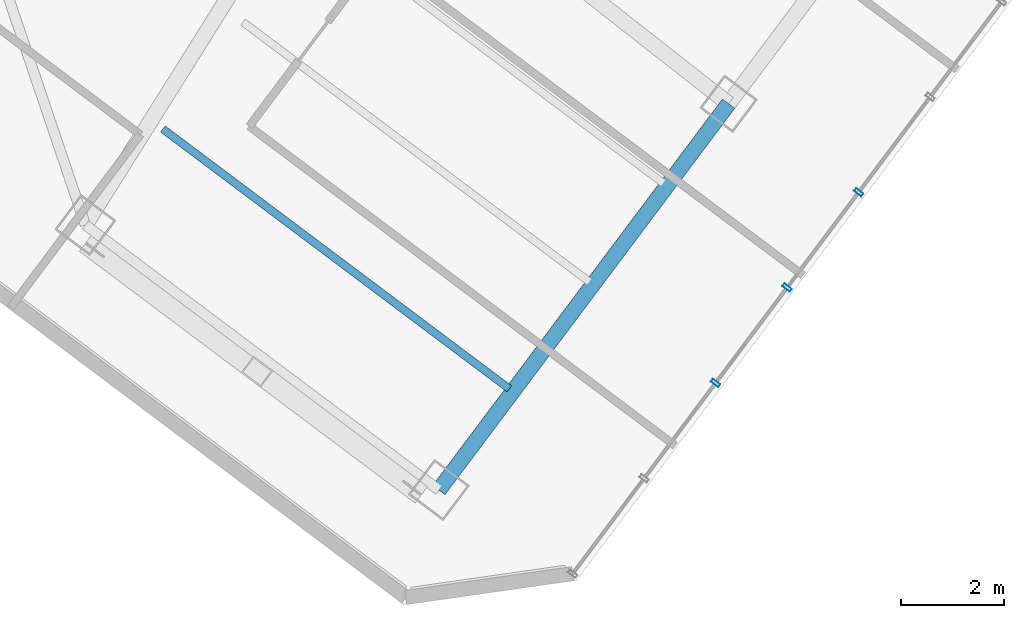
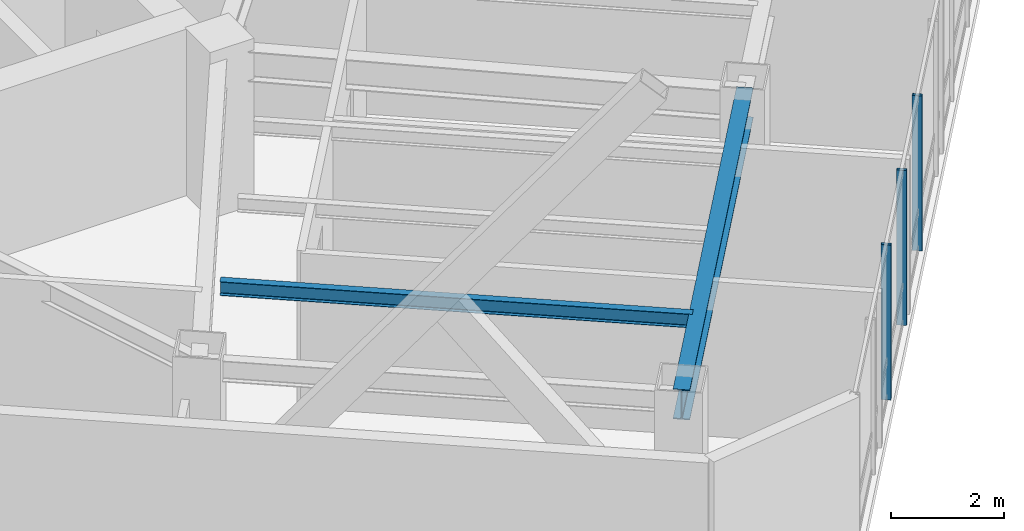
# One storey, part 11 of 27: 3 members, 2 beams, 1 element without a shape of its own.
"""IFC4 building model written with IfcOpenShell, lengths in metres."""

from ifc_helpers import new_model, si_unit, direction, frame, origin, origin_2d, place, context, subcontext, project, spatial, hollow_rectangle, i_section, extrude, material, layer, layer_set, material_profile, profile_set, type_object, element, aggregate, save


model = new_model("IFC4")

# Units and contexts
model_context = context("Model", 3, precision=1e-05, world=origin(), true_north=direction((0.0, 1.0)))
body_context = subcontext(model_context, "Body", "Model", "MODEL_VIEW")
ifc_project = project(units=[si_unit("LENGTHUNIT", "METRE"), si_unit("AREAUNIT", "SQUARE_METRE"), si_unit("VOLUMEUNIT", "CUBIC_METRE"), si_unit("PLANEANGLEUNIT", "RADIAN"), si_unit("MASSUNIT", "GRAM", prefix="KILO")], contexts=[model_context])

# Site, building, storey
site_placement = place(None, origin())
site = spatial("IfcSite", under=ifc_project, at=site_placement, CompositionType="ELEMENT")
building_placement = place(site_placement, origin())
building = spatial("IfcBuilding", under=site, at=building_placement, Name="Hatsunagi Terrace Concourse", CompositionType="ELEMENT")
storey_placement = place(building_placement, frame((0.0, 0.0, 145.64990234375)))
storey = spatial("IfcBuildingStorey", under=building, at=storey_placement, Name="L38", CompositionType="ELEMENT", Elevation=145.64990234375)

# Curtain wall, members
ifc_material_1 = material(Name="Anodised Aluminium Alloy 6063-T5", Category="aluminium")
ifc_layer = layer(ifc_material_1, 0.199951171875)
ifc_layer_set = layer_set([ifc_layer], Name="OfficeZone1_CW03")
curtain_wall_type = type_object("IfcCurtainWallType", Name="OfficeZone1_CW03", PredefinedType="NOTDEFINED", material=ifc_layer_set)
curtain_wall_placement = place(storey_placement, origin())
curtain_wall = element("IfcCurtainWall", 1, at=curtain_wall_placement, inside=storey, type_object=curtain_wall_type, Name="Unitised Curtain Wall CW-03 CW-L38-03", PredefinedType="NOTDEFINED")
ifc_material_2 = material(Name="Anodised Aluminium Alloy 6063-T5", Category="aluminium")
ifc_material_profile_1 = material_profile(ifc_material_2, hollow_rectangle(XDim=0.070068359375, YDim=0.179931640625, WallThickness=0.00390625, at=origin_2d()), Name="ALU-MUL-180x70x4")
ifc_profile_set_1 = profile_set([ifc_material_profile_1], Name="Anodised Aluminium Alloy 6063-T5")
member_type = type_object("IfcMemberType", Name="CurtainWallMullion_180x70", PredefinedType="MULLION", material=ifc_profile_set_1)
member_1_placement = place(storey_placement, frame((53.73193359375, 16.676025390625, 0.0), z_axis=(0.0, 0.0, 1.0), x_axis=(-0.599969314634, -0.800023013105, 0.0)))
member_1 = element("IfcMember", 2, at=member_1_placement, type_object=member_type, Name="Curtain Wall Mullion MUL-02", PredefinedType="MULLION", context=body_context, shape_type="SweptSolid", body=[
    extrude(hollow_rectangle(XDim=0.070068359375, YDim=0.179931640625, WallThickness=0.00390625, at=origin_2d()), origin(), (0.0, 0.0, 1.0), 3.35009765625),
])
member_2_placement = place(storey_placement, frame((52.340087890625, 14.819091796875, 0.0), z_axis=(0.0, 0.0, 1.0), x_axis=(-0.599969314634, -0.800023013105, 0.0)))
member_2 = element("IfcMember", 3, at=member_2_placement, type_object=member_type, Name="Curtain Wall Mullion MUL-02", PredefinedType="MULLION", context=body_context, shape_type="SweptSolid", body=[
    extrude(hollow_rectangle(XDim=0.070068359375, YDim=0.179931640625, WallThickness=0.00390625, at=origin_2d()), origin(), (0.0, 0.0, 1.0), 3.35009765625),
])
member_3_placement = place(storey_placement, frame((50.947021484375, 12.962890625, 0.0), z_axis=(0.0, 0.0, 1.0), x_axis=(-0.599969314634, -0.800023013105, 0.0)))
member_3 = element("IfcMember", 4, at=member_3_placement, type_object=member_type, Name="Curtain Wall Mullion MUL-02", PredefinedType="MULLION", context=body_context, shape_type="SweptSolid", body=[
    extrude(hollow_rectangle(XDim=0.070068359375, YDim=0.179931640625, WallThickness=0.00390625, at=origin_2d()), origin(), (0.0, 0.0, 1.0), 3.35009765625),
])
aggregate(curtain_wall, [member_1, member_2, member_3])

# Beams
ifc_material_3 = material(Name="Steel SN490B", Category="steel")
ifc_material_profile_2 = material_profile(ifc_material_3, i_section(OverallWidth=0.14990234375, OverallDepth=0.300048828125, WebThickness=0.006591796875, FlangeThickness=0.009033203125, FilletRadius=0.010986328125, at=origin_2d()), Name="H-300x150x6.5x9")
ifc_profile_set_2 = profile_set([ifc_material_profile_2], Name="Steel SN490B")
beam_type_1 = type_object("IfcBeamType", Name="OfficeJoist_H_300x150", PredefinedType="JOIST", material=ifc_profile_set_2)
beam_1_placement = place(storey_placement, frame((40.18798828125, 17.908935546875, 3.2001953125), z_axis=(0.800003475366, -0.59999536615, 0.0), x_axis=(0.59999536615, 0.800003475366, 0.0)))
element("IfcBeam", 5, at=beam_1_placement, inside=storey, type_object=beam_type_1, Name="Beam J-03 J-L38-SE-2-46", PredefinedType="JOIST", context=body_context, shape_type="SweptSolid", body=[
    extrude(i_section(OverallWidth=0.14990234375, OverallDepth=0.300048828125, WebThickness=0.006591796875, FlangeThickness=0.009033203125, FilletRadius=0.010986328125, at=origin_2d()), origin(), (0.0, 0.0, 1.0), 8.429931640625),
])
ifc_material_4 = material(Name="Steel SN490B", Category="steel")
ifc_material_profile_3 = material_profile(ifc_material_4, i_section(OverallWidth=0.300048828125, OverallDepth=0.64990234375, WebThickness=0.012939453125, FlangeThickness=0.02197265625, FilletRadius=0.01806640625, at=origin_2d()), Name="H-650x300x13x22")
ifc_profile_set_3 = profile_set([ifc_material_profile_3], Name="Steel SN490B")
beam_type_2 = type_object("IfcBeamType", Name="OfficeLowGirder_H_650x300", PredefinedType="BEAM", material=ifc_profile_set_3)
beam_2_placement = place(storey_placement, frame((45.56005859375, 10.8798828125, 3.025146484375), z_axis=(0.599991688754, 0.800006233367, 0.0), x_axis=(-0.800006233367, 0.599991688754, 0.0)))
element("IfcBeam", 6, at=beam_2_placement, inside=storey, type_object=beam_type_2, Name="Beam G-05 BM-L38-SET-2A", PredefinedType="BEAM", context=body_context, shape_type="SweptSolid", body=[
    extrude(i_section(OverallWidth=0.300048828125, OverallDepth=0.64990234375, WebThickness=0.012939453125, FlangeThickness=0.02197265625, FilletRadius=0.01806640625, at=origin_2d()), origin(), (0.0, 0.0, 1.0), 9.39990234375),
])

save(model, "model.ifc")
